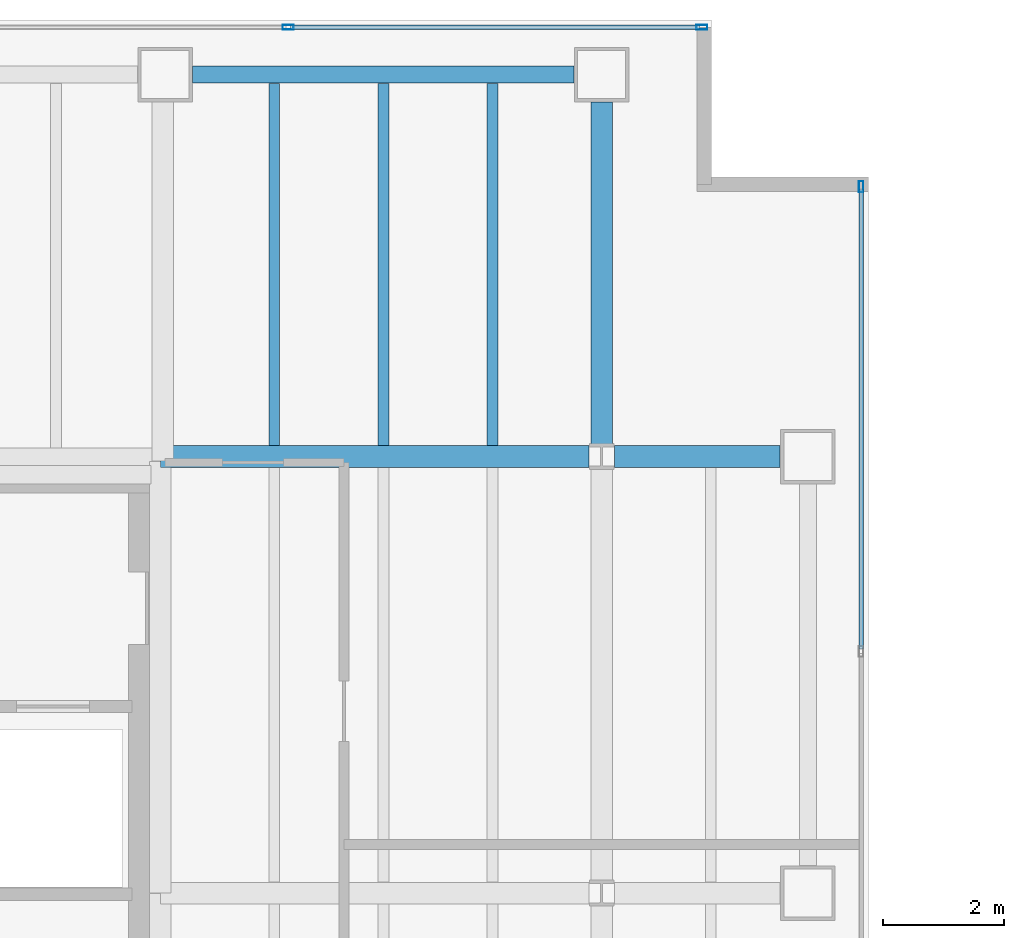
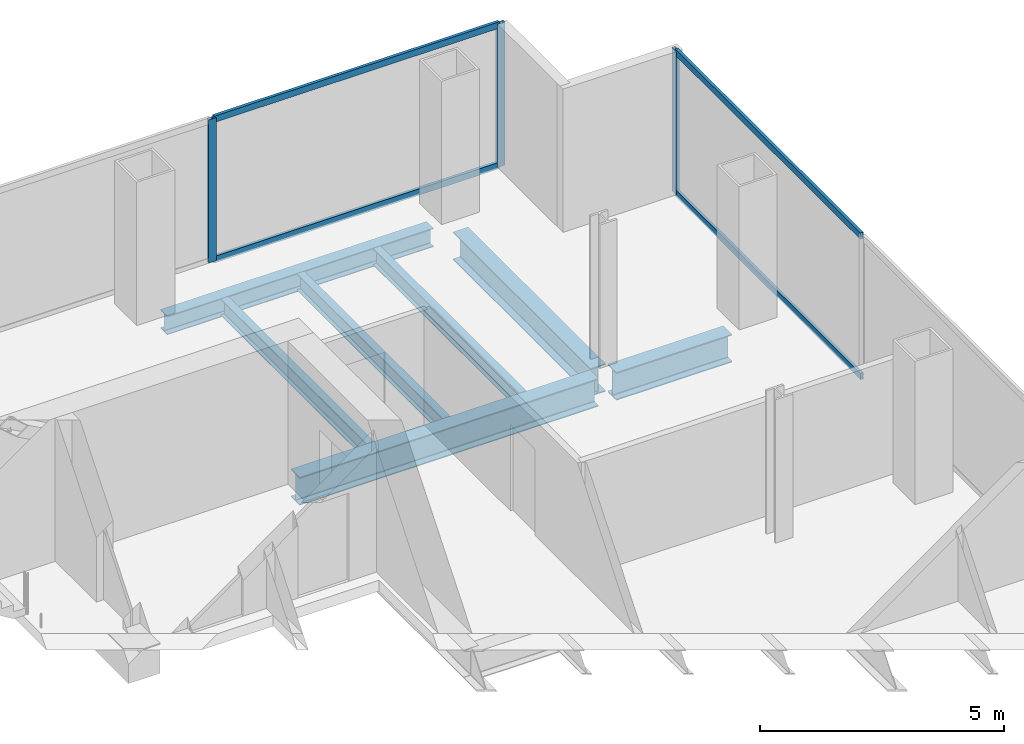
# One storey, part 18 of 23: 7 beams, 7 members, 2 elements without a shape of their own.
"""IFC4 building model written with IfcOpenShell, lengths in metres."""

import ifcopenshell
import ifcopenshell.guid

model = None  # the IFC model being written
_history = None  # IfcOwnerHistory: only IFC2X3 demands one
_inside = {}  # id of a spatial element -> (the spatial element, [elements in it])
_under = {}  # id of a project, library or spatial element -> (it, [spatial elements below it])
_declared = {}  # id of a project -> (the project, [libraries it declares])
_typed = {}  # id of a type object -> (the type object, [elements of that type])
_made_of = {}  # id of a material, layer set ... -> (it, [elements and type objects made of it])


def new_model(schema):
    """Start an empty IFC model of exactly this schema.

    Asked for "IFC4X3", IfcOpenShell would pick the latest addendum, in which some entities
    have other attributes; the version numbers below select the first issue.
    IFC2X3 requires an IfcOwnerHistory on every rooted entity: one is made here for all.
    """
    global model, _history
    if schema == "IFC4X3":
        model = ifcopenshell.file(schema_version=(4, 3, 0, 0))
    else:
        model = ifcopenshell.file(schema=schema)
    _inside.clear()
    _under.clear()
    _declared.clear()
    _typed.clear()
    _made_of.clear()
    _history = None
    if model.schema == "IFC2X3":
        org = make("IfcOrganization", Name="unknown")
        user = make(
            "IfcPersonAndOrganization",
            ThePerson=make("IfcPerson", FamilyName="unknown"),
            TheOrganization=org,
        )
        app = make(
            "IfcApplication",
            ApplicationDeveloper=org,
            Version="unknown",
            ApplicationFullName="unknown",
            ApplicationIdentifier="unknown",
        )
        _history = make(
            "IfcOwnerHistory",
            OwningUser=user,
            OwningApplication=app,
            ChangeAction="ADDED",
            CreationDate=0,
        )
    return model


def make(cls, **values):
    """One entity of the class cls with the attributes given. An attribute that is None is left unset."""
    return model.create_entity(
        cls, **{name: value for name, value in values.items() if value is not None}
    )


def rooted(cls, **values):
    """An entity with a GlobalId (a new one), such as an element, a storey or a relation."""
    return make(cls, GlobalId=ifcopenshell.guid.new(), OwnerHistory=_history, **values)


def si_unit(unit_type, name, prefix=None):
    """IfcSIUnit, for example si_unit("LENGTHUNIT", "METRE", prefix="MILLI")."""
    return make("IfcSIUnit", UnitType=unit_type, Prefix=prefix, Name=name)


def assignment(units):
    """IfcUnitAssignment: the units of a project."""
    return None if units is None else make("IfcUnitAssignment", Units=units)


def point(xyz):
    """IfcCartesianPoint."""
    return None if xyz is None else make("IfcCartesianPoint", Coordinates=xyz)


def direction(xyz):
    """IfcDirection."""
    return None if xyz is None else make("IfcDirection", DirectionRatios=xyz)


def frame(location, z_axis=None, x_axis=None):
    """IfcAxis2Placement3D, a coordinate frame: its origin and axes. An axis left out is left unset."""
    return make(
        "IfcAxis2Placement3D",
        Location=point(location),
        Axis=direction(z_axis),
        RefDirection=direction(x_axis),
    )


def frame_2d(location, x_axis=None):
    """IfcAxis2Placement2D, a coordinate frame in the plane: its origin and x axis."""
    return make(
        "IfcAxis2Placement2D", Location=point(location), RefDirection=direction(x_axis)
    )


def origin():
    """The frame at (0, 0, 0) with its axes left unset."""
    return frame((0.0, 0.0, 0.0))


def origin_2d():
    """The frame at (0, 0) in the plane with its x axis left unset."""
    return frame_2d((0.0, 0.0))


def place(relative_to, where):
    """IfcLocalPlacement: puts the frame where relative to a parent placement (None: the world)."""
    return make(
        "IfcLocalPlacement", PlacementRelTo=relative_to, RelativePlacement=where
    )


def context(
    kind, dimensions, precision=None, world=None, true_north=None, identifier=None
):
    """IfcGeometricRepresentationContext, for example the 3D "Model" context."""
    return make(
        "IfcGeometricRepresentationContext",
        ContextIdentifier=identifier,
        ContextType=kind,
        CoordinateSpaceDimension=dimensions,
        Precision=precision,
        WorldCoordinateSystem=world,
        TrueNorth=true_north,
    )


def subcontext(parent, identifier, kind, view, scale=None):
    """IfcGeometricRepresentationSubContext, for example "Body" below "Model"."""
    return make(
        "IfcGeometricRepresentationSubContext",
        ContextIdentifier=identifier,
        ContextType=kind,
        ParentContext=parent,
        TargetScale=scale,
        TargetView=view,
    )


def project(units=None, contexts=None):
    """IfcProject with its units and contexts."""
    return rooted(
        "IfcProject",
        Name="project",
        RepresentationContexts=contexts,
        UnitsInContext=assignment(units),
    )


def spatial(cls, under=None, at=None, **own):
    """A site, building, storey or space (cls), placed at a placement, below another one or the project."""
    s = rooted(cls, ObjectPlacement=at, **own)
    if under is not None:
        _under.setdefault(under.id(), (under, []))[1].append(s)
    return s


def profile(cls, at=None, kind="AREA", **sizes):
    """A parametric profile (cls). Its sizes go by their IFC names, for example OverallWidth=200.0."""
    return make(cls, ProfileType=kind, Position=at, **sizes)


def hollow_rectangle(**sizes):
    """IfcRectangleHollowProfileDef."""
    return profile("IfcRectangleHollowProfileDef", **sizes)


def i_section(**sizes):
    """IfcIShapeProfileDef."""
    return profile("IfcIShapeProfileDef", **sizes)


def extrude(swept, where, along, depth):
    """IfcExtrudedAreaSolid: the profile swept, set in the frame where, extruded along a direction by depth."""
    return make(
        "IfcExtrudedAreaSolid",
        SweptArea=swept,
        Position=where,
        ExtrudedDirection=direction(along),
        Depth=depth,
    )


def shape(context_of_items, identifier, shape_type, items):
    """IfcShapeRepresentation: the items that make up one representation, for example the "Body"."""
    return make(
        "IfcShapeRepresentation",
        ContextOfItems=context_of_items,
        RepresentationIdentifier=identifier,
        RepresentationType=shape_type,
        Items=items,
    )


def material(Name=None, Category=None):
    """IfcMaterial."""
    return make("IfcMaterial", Name=Name, Category=Category)


def material_profile(
    of_material, cross_section, Name=None, Category=None, Priority=None
):
    """IfcMaterialProfile: a cross section and its material."""
    return make(
        "IfcMaterialProfile",
        Name=Name,
        Material=of_material,
        Profile=cross_section,
        Priority=Priority,
        Category=Category,
    )


def profile_set(profiles, Name=None, composite=None):
    """IfcMaterialProfileSet."""
    return make(
        "IfcMaterialProfileSet",
        Name=Name,
        MaterialProfiles=profiles,
        CompositeProfile=composite,
    )


def made_of(thing, what):
    """Note that an element or type object is made of a material, layer set ...; save() writes the relation."""
    if what is not None:
        _made_of.setdefault(what.id(), (what, []))[1].append(thing)
    return thing


def type_object(cls, material=None, **own):
    """A type object (cls), such as IfcWallType, which elements share."""
    return made_of(rooted(cls, **own), material)


def element(
    cls,
    number,
    at=None,
    inside=None,
    cuts=None,
    type_object=None,
    material=None,
    context=None,
    identifier="Body",
    shape_type=None,
    held_by="IfcProductDefinitionShape",
    body=None,
    shapes=None,
    **own,
):
    """One element of the class cls, such as IfcWall. Its Tag is "e" and its number.

    at: its placement. inside: the storey or other place that contains it. cuts: it is an
    opening in that element (IfcRelVoidsElement). A single representation is given by context,
    identifier, shape_type and body (its items); several are given by shapes. held_by: the class
    of the entity that holds the representations. save() writes the other relations.
    """
    e = rooted(cls, Tag="e%d" % number, ObjectPlacement=at, **own)
    if body is not None:
        shapes = [shape(context, identifier, shape_type, body)]
    if shapes is not None:
        e.Representation = make(held_by, Representations=shapes)
    if inside is not None:
        _inside.setdefault(inside.id(), (inside, []))[1].append(e)
    if cuts is not None:
        rooted(
            "IfcRelVoidsElement", RelatingBuildingElement=cuts, RelatedOpeningElement=e
        )
    if type_object is not None:
        _typed.setdefault(type_object.id(), (type_object, []))[1].append(e)
    return made_of(e, material)


def aggregate(whole, parts):
    """IfcRelAggregates: a whole, such as a stair, and the parts it consists of."""
    return rooted("IfcRelAggregates", RelatingObject=whole, RelatedObjects=parts)


def save(model, path):
    """Write the relations noted so far, then the file.

    IfcRelAggregates (storeys below a building ...), IfcRelContainedInSpatialStructure (elements
    in a storey), IfcRelDefinesByType, IfcRelAssociatesMaterial and IfcRelDeclares: one each for
    every whole, place, type object, material and project.
    """
    for whole, parts in _under.values():
        aggregate(whole, parts)
    for where, things in _inside.values():
        rooted(
            "IfcRelContainedInSpatialStructure",
            RelatedElements=things,
            RelatingStructure=where,
        )
    for kind, things in _typed.values():
        rooted("IfcRelDefinesByType", RelatedObjects=things, RelatingType=kind)
    for what, things in _made_of.values():
        rooted("IfcRelAssociatesMaterial", RelatedObjects=things, RelatingMaterial=what)
    for by, libraries in _declared.values():
        rooted("IfcRelDeclares", RelatingContext=by, RelatedDefinitions=libraries)
    model.write(path)


model = new_model("IFC4")

# Units and contexts
model_context = context("Model", 3, precision=1e-05, world=origin(), true_north=direction((0.0, 1.0)))
body_context = subcontext(model_context, "Body", "Model", "MODEL_VIEW")
ifc_project = project(units=[si_unit("LENGTHUNIT", "METRE"), si_unit("AREAUNIT", "SQUARE_METRE"), si_unit("VOLUMEUNIT", "CUBIC_METRE"), si_unit("PLANEANGLEUNIT", "RADIAN"), si_unit("MASSUNIT", "GRAM", prefix="KILO")], contexts=[model_context])

# Site, building, storey
site_placement = place(None, origin())
site = spatial("IfcSite", under=ifc_project, at=site_placement, CompositionType="ELEMENT")
building_placement = place(site_placement, origin())
building = spatial("IfcBuilding", under=site, at=building_placement, Name="Cobrela Telecom Tower", CompositionType="ELEMENT")
storey_placement = place(building_placement, frame((0.0, 0.0, 140.699951171875)))
storey = spatial("IfcBuildingStorey", under=building, at=storey_placement, Name="L35", CompositionType="ELEMENT", Elevation=140.699951171875)

# Beams
ifc_material_1 = material(Name="Steel ASTM A992 Grade 50", Category="steel")
ifc_material_profile_1 = material_profile(ifc_material_1, i_section(OverallWidth=0.35595703125, OverallDepth=0.696044921875, WebThickness=0.015380859375, FlangeThickness=0.024658203125, FilletRadius=0.01806640625, at=origin_2d()), Name="W27X146")
ifc_profile_set_1 = profile_set([ifc_material_profile_1], Name="Steel ASTM A992 Grade 50")
beam_type_1 = type_object("IfcBeamType", Name="BM-GIRD-05", PredefinedType="USERDEFINED", material=ifc_profile_set_1)
beam_1_placement = place(storey_placement, frame((14.324951171875, 36.0, -0.617919921875), z_axis=(1.0, 0.0, 0.0), x_axis=(0.0, 1.0, 0.0)))
element("IfcBeam", 1, at=beam_1_placement, inside=storey, type_object=beam_type_1, Name="L35 Primary Girder X27", ObjectType="GIRDER", PredefinedType="USERDEFINED", context=body_context, shape_type="SweptSolid", body=[
    extrude(i_section(OverallWidth=0.35595703125, OverallDepth=0.696044921875, WebThickness=0.015380859375, FlangeThickness=0.024658203125, FilletRadius=0.01806640625, at=origin_2d()), origin(), (0.0, 0.0, 1.0), 7.0654296875),
])
beam_2_placement = place(storey_placement, frame((21.8095703125, 36.0, -0.617919921875), z_axis=(1.0, 0.0, 0.0), x_axis=(0.0, 1.0, 0.0)))
element("IfcBeam", 2, at=beam_2_placement, inside=storey, type_object=beam_type_1, Name="L35 Primary Girder X28", ObjectType="GIRDER", PredefinedType="USERDEFINED", context=body_context, shape_type="SweptSolid", body=[
    extrude(i_section(OverallWidth=0.35595703125, OverallDepth=0.696044921875, WebThickness=0.015380859375, FlangeThickness=0.024658203125, FilletRadius=0.01806640625, at=origin_2d()), origin(), (0.0, 0.0, 1.0), 2.7353515625),
])
beam_3_placement = place(storey_placement, frame((21.60009765625, 36.20947265625, -0.617919921875), z_axis=(0.0, 1.0, 0.0), x_axis=(-1.0, 0.0, 0.0)))
element("IfcBeam", 3, at=beam_3_placement, inside=storey, type_object=beam_type_1, Name="L35 Primary Girder Y44", ObjectType="GIRDER", PredefinedType="USERDEFINED", context=body_context, shape_type="SweptSolid", body=[
    extrude(i_section(OverallWidth=0.35595703125, OverallDepth=0.696044921875, WebThickness=0.015380859375, FlangeThickness=0.024658203125, FilletRadius=0.01806640625, at=origin_2d()), origin(), (0.0, 0.0, 1.0), 5.635498046875),
])
ifc_material_profile_2 = material_profile(ifc_material_1, i_section(OverallWidth=0.179931640625, OverallDepth=0.4169921875, WebThickness=0.010986328125, FlangeThickness=0.01806640625, FilletRadius=0.011962890625, at=origin_2d()), Name="W16X57")
ifc_profile_set_2 = profile_set([ifc_material_profile_2], Name="Steel ASTM A992 Grade 50")
beam_type_2 = type_object("IfcBeamType", Name="BM-JOIST-04", PredefinedType="JOIST", material=ifc_profile_set_2)
for number, where, z_axis, x_axis, name in (
    (4, (16.199951171875, 36.18310546875, -0.478515625), (0.0, 1.0, 0.0), (-1.0, 0.0, 0.0), "L35 Secondary Composite Floor Beam J08"),
    (5, (18.0, 36.18310546875, -0.478515625), (0.0, 1.0, 0.0), (-1.0, 0.0, 0.0), "L35 Secondary Composite Floor Beam J13"),
    (6, (19.800048828125, 36.18310546875, -0.478515625), (0.0, 1.0, 0.0), (-1.0, 0.0, 0.0), "L35 Secondary Composite Floor Beam J18"),
):
    element("IfcBeam", number, at=place(storey_placement, frame(where, z_axis=z_axis, x_axis=x_axis)), inside=storey, type_object=beam_type_2, Name=name, PredefinedType="JOIST", context=body_context, shape_type="SweptSolid", body=[
        extrude(i_section(OverallWidth=0.179931640625, OverallDepth=0.4169921875, WebThickness=0.010986328125, FlangeThickness=0.01806640625, FilletRadius=0.011962890625, at=origin_2d()), origin(), (0.0, 0.0, 1.0), 5.970947265625),
    ])
ifc_material_profile_3 = material_profile(ifc_material_1, i_section(OverallWidth=0.281982421875, OverallDepth=0.467041015625, WebThickness=0.01220703125, FlangeThickness=0.01953125, FilletRadius=0.012939453125, at=origin_2d()), Name="W18X86")
ifc_profile_set_3 = profile_set([ifc_material_profile_3], Name="Steel ASTM A992 Grade 50")
beam_type_3 = type_object("IfcBeamType", Name="BM-SPAND-04", PredefinedType="SPANDREL", material=ifc_profile_set_3)
beam_4_placement = place(storey_placement, frame((14.85498046875, 42.300048828125, -0.50341796875), z_axis=(1.0, 0.0, 0.0), x_axis=(0.0, 1.0, 0.0)))
element("IfcBeam", 7, at=beam_4_placement, inside=storey, type_object=beam_type_3, Name="L35 Perimeter Spandrel X30", PredefinedType="SPANDREL", context=body_context, shape_type="SweptSolid", body=[
    extrude(i_section(OverallWidth=0.281982421875, OverallDepth=0.467041015625, WebThickness=0.01220703125, FlangeThickness=0.01953125, FilletRadius=0.012939453125, at=origin_2d()), origin(), (0.0, 0.0, 1.0), 6.2900390625),
])

# Curtain wall, members
ifc_material_2 = material(Name="Anodized Bronze Aluminium 6063-T6", Category="aluminium")
curtain_wall_type = type_object("IfcCurtainWallType", Name="CW-SYS-TEL", PredefinedType="USERDEFINED", material=ifc_material_2)
curtain_wall_1_placement = place(storey_placement, origin())
curtain_wall_1 = element("IfcCurtainWall", 8, at=curtain_wall_1_placement, inside=storey, type_object=curtain_wall_type, Name="L35 Unitised Bronze Curtain Wall 07", ObjectType="UNITISED CURTAIN WALL", PredefinedType="USERDEFINED")
ifc_material_profile_4 = material_profile(ifc_material_2, hollow_rectangle(XDim=0.074951171875, YDim=0.179931640625, WallThickness=0.00390625, at=origin_2d()), Name="ALU 75x180x4")
ifc_profile_set_4 = profile_set([ifc_material_profile_4], Name="Anodized Bronze Aluminium 6063-T6")
member_type_1 = type_object("IfcMemberType", Name="CW-SYS-TEL-MUL", PredefinedType="MULLION", material=ifc_profile_set_4)
member_1_placement = place(storey_placement, frame((16.429931640625, 43.080078125, 0.0), z_axis=(0.0, 0.0, 1.0), x_axis=(0.0, 1.0, 0.0)))
member_1 = element("IfcMember", 9, at=member_1_placement, type_object=member_type_1, Name="CW-TEL mullion 3", PredefinedType="MULLION", context=body_context, shape_type="SweptSolid", body=[
    extrude(hollow_rectangle(XDim=0.074951171875, YDim=0.179931640625, WallThickness=0.00390625, at=origin_2d()), origin(), (0.0, 0.0, 1.0), 3.580078125),
])
member_2_placement = place(storey_placement, frame((23.25244140625, 43.080078125, 0.0), z_axis=(0.0, 0.0, 1.0), x_axis=(0.0, 1.0, 0.0)))
member_2 = element("IfcMember", 10, at=member_2_placement, type_object=member_type_1, Name="CW-TEL mullion 4", PredefinedType="MULLION", context=body_context, shape_type="SweptSolid", body=[
    extrude(hollow_rectangle(XDim=0.074951171875, YDim=0.179931640625, WallThickness=0.00390625, at=origin_2d()), origin(), (0.0, 0.0, 1.0), 3.580078125),
])

# Curtain wall, member
curtain_wall_2_placement = place(storey_placement, origin())
curtain_wall_2 = element("IfcCurtainWall", 11, at=curtain_wall_2_placement, inside=storey, type_object=curtain_wall_type, Name="L35 Unitised Bronze Curtain Wall 10", ObjectType="UNITISED CURTAIN WALL", PredefinedType="USERDEFINED")
member_3_placement = place(storey_placement, frame((25.8798828125, 40.452392578125, 0.0), z_axis=(0.0, 0.0, 1.0), x_axis=(1.0, 0.0, 0.0)))
member_3 = element("IfcMember", 12, at=member_3_placement, type_object=member_type_1, Name="CW-TEL mullion 1", PredefinedType="MULLION", context=body_context, shape_type="SweptSolid", body=[
    extrude(hollow_rectangle(XDim=0.074951171875, YDim=0.179931640625, WallThickness=0.00390625, at=origin_2d()), origin(), (0.0, 0.0, 1.0), 3.580078125),
])

# Member
ifc_material_profile_5 = material_profile(ifc_material_2, hollow_rectangle(XDim=0.070068359375, YDim=0.159912109375, WallThickness=0.00390625, at=origin_2d()), Name="ALU 70x160x4")
ifc_profile_set_5 = profile_set([ifc_material_profile_5], Name="Anodized Bronze Aluminium 6063-T6")
member_type_2 = type_object("IfcMemberType", Name="CW-SYS-TEL-TRN", PredefinedType="USERDEFINED", material=ifc_profile_set_5)
member_4_placement = place(storey_placement, frame((16.467529296875, 43.080078125, 0.03515625), z_axis=(1.0, 0.0, 0.0), x_axis=(0.0, 1.0, 0.0)))
member_4 = element("IfcMember", 13, at=member_4_placement, type_object=member_type_2, Name="CW-TEL transom 3.1", ObjectType="TRANSOM", PredefinedType="USERDEFINED", context=body_context, shape_type="SweptSolid", body=[
    extrude(hollow_rectangle(XDim=0.070068359375, YDim=0.159912109375, WallThickness=0.00390625, at=origin_2d()), origin(), (0.0, 0.0, 1.0), 6.74755859375),
])

member_5_placement = place(storey_placement, frame((16.467529296875, 43.080078125, 3.545166015625), z_axis=(1.0, 0.0, 0.0), x_axis=(0.0, 1.0, 0.0)))
member_5 = element("IfcMember", 14, at=member_5_placement, type_object=member_type_2, Name="CW-TEL transom 3.2", ObjectType="TRANSOM", PredefinedType="USERDEFINED", context=body_context, shape_type="SweptSolid", body=[
    extrude(hollow_rectangle(XDim=0.070068359375, YDim=0.159912109375, WallThickness=0.00390625, at=origin_2d()), origin(), (0.0, 0.0, 1.0), 6.74755859375),
])

aggregate(curtain_wall_1, [member_1, member_2, member_4, member_5])

member_6_placement = place(storey_placement, frame((25.8798828125, 40.4150390625, 0.03515625), z_axis=(0.0, -1.0, 0.0), x_axis=(1.0, 0.0, 0.0)))
member_6 = element("IfcMember", 15, at=member_6_placement, type_object=member_type_2, Name="CW-TEL transom 1.1", ObjectType="TRANSOM", PredefinedType="USERDEFINED", context=body_context, shape_type="SweptSolid", body=[
    extrude(hollow_rectangle(XDim=0.070068359375, YDim=0.159912109375, WallThickness=0.00390625, at=origin_2d()), origin(), (0.0, 0.0, 1.0), 7.592529296875),
])

member_7_placement = place(storey_placement, frame((25.8798828125, 40.4150390625, 3.545166015625), z_axis=(0.0, -1.0, 0.0), x_axis=(1.0, 0.0, 0.0)))
member_7 = element("IfcMember", 16, at=member_7_placement, type_object=member_type_2, Name="CW-TEL transom 1.2", ObjectType="TRANSOM", PredefinedType="USERDEFINED", context=body_context, shape_type="SweptSolid", body=[
    extrude(hollow_rectangle(XDim=0.070068359375, YDim=0.159912109375, WallThickness=0.00390625, at=origin_2d()), origin(), (0.0, 0.0, 1.0), 7.592529296875),
])

aggregate(curtain_wall_2, [member_3, member_6, member_7])

save(model, "model.ifc")
